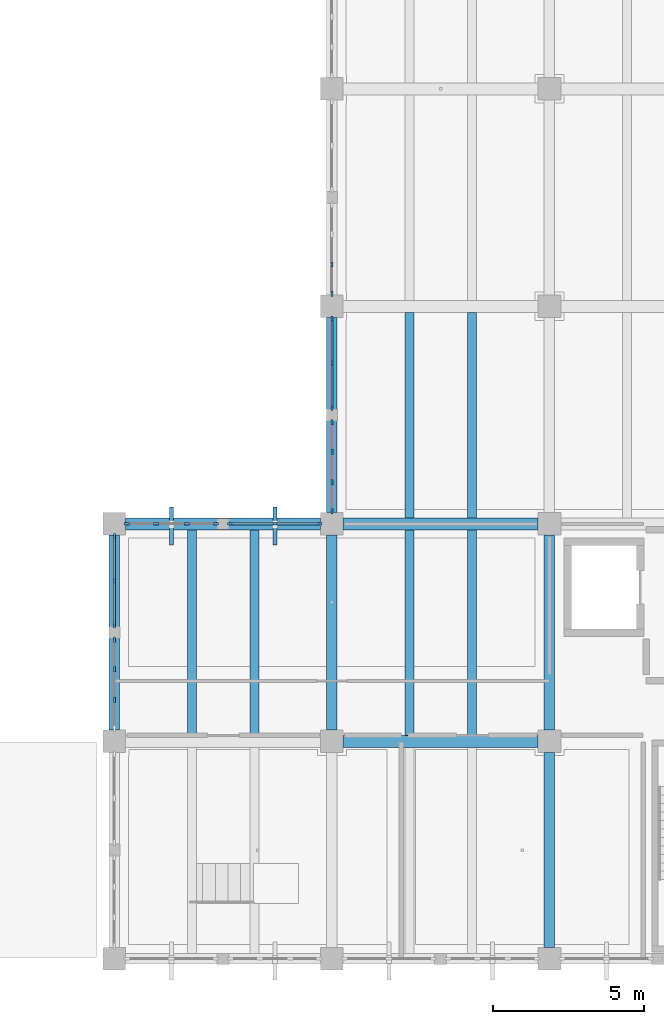
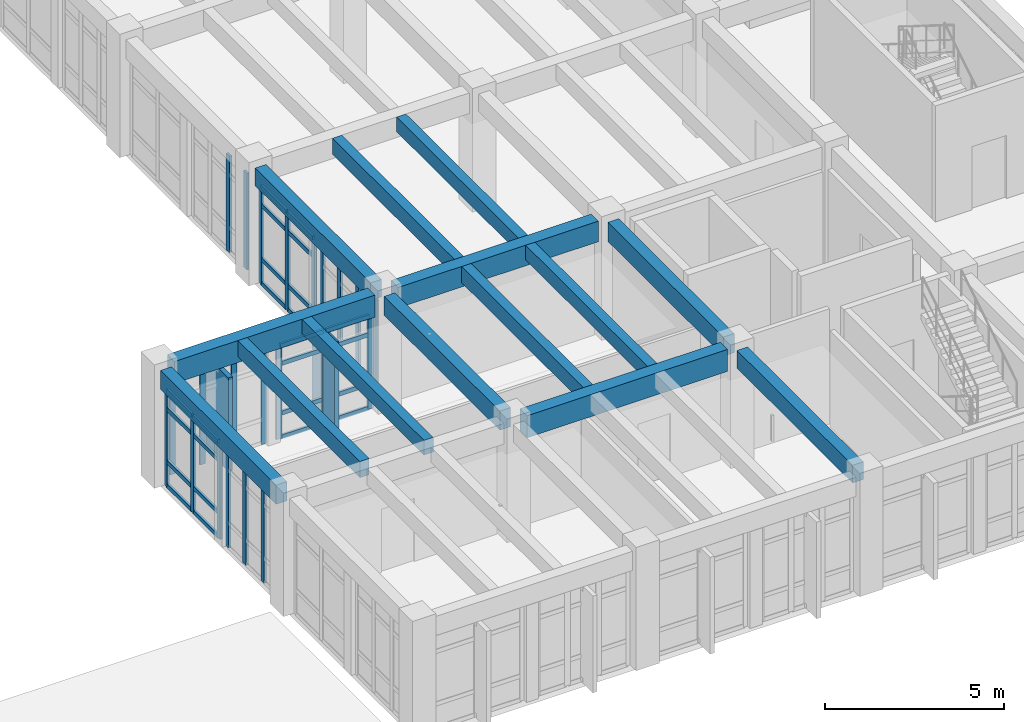
# One storey, part 54 of 136: 48 members, 14 beams, 7 elements without a shape of their own.
"""IFC4 building model written with IfcOpenShell, lengths in metres."""

from ifc_helpers import new_model, si_unit, direction, frame, origin, origin_2d, place, context, subcontext, project, spatial, rectangle, extrude, material, layer, layer_set, material_profile, profile_set, type_object, element, aggregate, save


model = new_model("IFC4")

# Units and contexts
model_context = context("Model", 3, precision=1e-05, world=origin(), true_north=direction((0.0, 1.0)))
body_context = subcontext(model_context, "Body", "Model", "MODEL_VIEW")
ifc_project = project(units=[si_unit("LENGTHUNIT", "METRE"), si_unit("AREAUNIT", "SQUARE_METRE"), si_unit("VOLUMEUNIT", "CUBIC_METRE"), si_unit("PLANEANGLEUNIT", "RADIAN"), si_unit("MASSUNIT", "GRAM", prefix="KILO")], contexts=[model_context])

# Site, building, storey
site_placement = place(None, origin())
site = spatial("IfcSite", under=ifc_project, at=site_placement, CompositionType="ELEMENT")
building_placement = place(site_placement, origin())
building = spatial("IfcBuilding", under=site, at=building_placement, Name="Koriwan Promenade Central Fire Station", CompositionType="ELEMENT")
storey_placement = place(building_placement, frame((0.0, 0.0, 5.39990234375)))
storey = spatial("IfcBuildingStorey", under=building, at=storey_placement, Name="L01", CompositionType="ELEMENT", Elevation=5.39990234375)

# Beams
ifc_material_1 = material(Name="Concrete C35/45", Category="concrete")
ifc_material_profile_1 = material_profile(ifc_material_1, rectangle(XDim=0.300048828125, YDim=0.5, at=origin_2d()), Name="RC-BM-300x500")
ifc_profile_set_1 = profile_set([ifc_material_profile_1], Name="Concrete C35/45")
beam_type_1 = type_object("IfcBeamType", Name="Beam_RC-BM-300x500", PredefinedType="JOIST", material=ifc_profile_set_1)
for number, where, z_axis, x_axis, name in (
    (1, (148.632080078125, 7.39990234375, 3.7001953125), (0.0, 1.0, 0.0), (-1.0, 0.0, 0.0), "V5 L01 secondary joist 707"),
    (2, (155.83203125, 7.39990234375, 3.7001953125), (0.0, 1.0, 0.0), (-1.0, 0.0, 0.0), "V5 L01 secondary joist 709"),
):
    element("IfcBeam", number, at=place(storey_placement, frame(where, z_axis=z_axis, x_axis=x_axis)), inside=storey, type_object=beam_type_1, Name=name, PredefinedType="JOIST", context=body_context, shape_type="SweptSolid", body=[
        extrude(rectangle(XDim=0.300048828125, YDim=0.5, at=origin_2d()), origin(), (0.0, 0.0, 1.0), 6.800048828125),
    ])
beam_1_placement = place(storey_placement, frame((155.83203125, 14.60009765625, 3.7001953125), z_axis=(0.0, 1.0, 0.0), x_axis=(-1.0, 0.0, 0.0)))
element("IfcBeam", 3, at=beam_1_placement, inside=storey, type_object=beam_type_1, Name="V5 L01 secondary joist 711", PredefinedType="JOIST", context=body_context, shape_type="SweptSolid", body=[
    extrude(rectangle(XDim=0.300048828125, YDim=0.5, at=origin_2d()), origin(), (0.0, 0.0, 1.0), 6.7998046875),
])
ifc_material_profile_2 = material_profile(ifc_material_1, rectangle(XDim=0.300048828125, YDim=0.550048828125, at=origin_2d()), Name="RC-BM-300x550")
ifc_profile_set_2 = profile_set([ifc_material_profile_2], Name="Concrete C35/45")
beam_type_2 = type_object("IfcBeamType", Name="Beam_RC-BM-300x550", PredefinedType="JOIST", material=ifc_profile_set_2)
for number, where, z_axis, x_axis, name in (
    (4, (146.568115234375, 7.39990234375, 3.675048828125), (0.0, 1.0, 0.0), (-1.0, 0.0, 0.0), "V5 L01 secondary joist 706"),
    (5, (153.76806640625, 7.39990234375, 3.675048828125), (0.0, 1.0, 0.0), (-1.0, 0.0, 0.0), "V5 L01 secondary joist 708"),
):
    element("IfcBeam", number, at=place(storey_placement, frame(where, z_axis=z_axis, x_axis=x_axis)), inside=storey, type_object=beam_type_2, Name=name, PredefinedType="JOIST", context=body_context, shape_type="SweptSolid", body=[
        extrude(rectangle(XDim=0.300048828125, YDim=0.550048828125, at=origin_2d()), origin(), (0.0, 0.0, 1.0), 6.800048828125),
    ])
beam_2_placement = place(storey_placement, frame((153.76806640625, 14.60009765625, 3.675048828125), z_axis=(0.0, 1.0, 0.0), x_axis=(-1.0, 0.0, 0.0)))
element("IfcBeam", 6, at=beam_2_placement, inside=storey, type_object=beam_type_2, Name="V5 L01 secondary joist 710", PredefinedType="JOIST", context=body_context, shape_type="SweptSolid", body=[
    extrude(rectangle(XDim=0.300048828125, YDim=0.550048828125, at=origin_2d()), origin(), (0.0, 0.0, 1.0), 6.7998046875),
])
ifc_material_profile_3 = material_profile(ifc_material_1, rectangle(XDim=0.35009765625, YDim=0.60009765625, at=origin_2d()), Name="RC-BM-350x600")
ifc_profile_set_3 = profile_set([ifc_material_profile_3], Name="Concrete C35/45")
beam_type_3 = type_object("IfcBeamType", Name="Beam_RC-BM-350x600", PredefinedType="BEAM", material=ifc_profile_set_3)
beam_3_placement = place(storey_placement, frame((151.199951171875, 14.77490234375, 3.650146484375), z_axis=(0.0, 1.0, 0.0), x_axis=(-1.0, 0.0, 0.0)))
element("IfcBeam", 7, at=beam_3_placement, inside=storey, type_object=beam_type_3, Name="V5 L01 girder Y-662", PredefinedType="BEAM", context=body_context, shape_type="SweptSolid", body=[
    extrude(rectangle(XDim=0.35009765625, YDim=0.60009765625, at=origin_2d()), origin(), (0.0, 0.0, 1.0), 6.4501953125),
])
beam_4_placement = place(storey_placement, frame((158.39990234375, 0.375, 3.650146484375), z_axis=(0.0, 1.0, 0.0), x_axis=(-1.0, 0.0, 0.0)))
element("IfcBeam", 8, at=beam_4_placement, inside=storey, type_object=beam_type_3, Name="V5 L01 girder Y-670", PredefinedType="BEAM", context=body_context, shape_type="SweptSolid", body=[
    extrude(rectangle(XDim=0.35009765625, YDim=0.60009765625, at=origin_2d()), origin(), (0.0, 0.0, 1.0), 6.449951171875),
])
ifc_material_profile_4 = material_profile(ifc_material_1, rectangle(XDim=0.35009765625, YDim=0.64990234375, at=origin_2d()), Name="RC-BM-350x650")
ifc_profile_set_4 = profile_set([ifc_material_profile_4], Name="Concrete C35/45")
beam_type_4 = type_object("IfcBeamType", Name="Beam_RC-BM-350x650", PredefinedType="BEAM", material=ifc_profile_set_4)
for number, where, z_axis, x_axis, name in (
    (9, (144.0, 7.574951171875, 3.625), (0.0, 1.0, 0.0), (-1.0, 0.0, 0.0), "V5 L01 girder Y-659"),
    (10, (151.199951171875, 7.574951171875, 3.625), (0.0, 1.0, 0.0), (-1.0, 0.0, 0.0), "V5 L01 girder Y-661"),
    (11, (158.39990234375, 7.574951171875, 3.625), (0.0, 1.0, 0.0), (-1.0, 0.0, 0.0), "V5 L01 girder Y-671"),
):
    element("IfcBeam", number, at=place(storey_placement, frame(where, z_axis=z_axis, x_axis=x_axis)), inside=storey, type_object=beam_type_4, Name=name, PredefinedType="BEAM", context=body_context, shape_type="SweptSolid", body=[
        extrude(rectangle(XDim=0.35009765625, YDim=0.64990234375, at=origin_2d()), origin(), (0.0, 0.0, 1.0), 6.449951171875),
    ])
ifc_material_profile_5 = material_profile(ifc_material_1, rectangle(XDim=0.39990234375, YDim=0.699951171875, at=origin_2d()), Name="RC-BM-400x700")
ifc_profile_set_5 = profile_set([ifc_material_profile_5], Name="Concrete C35/45")
beam_type_5 = type_object("IfcBeamType", Name="Beam_RC-BM-400x700", PredefinedType="BEAM", material=ifc_profile_set_5)
beam_5_placement = place(storey_placement, frame((151.574951171875, 14.39990234375, 3.60009765625), z_axis=(1.0, 0.0, 0.0), x_axis=(0.0, 1.0, 0.0)))
element("IfcBeam", 12, at=beam_5_placement, inside=storey, type_object=beam_type_5, Name="V5 L01 girder X-632", PredefinedType="BEAM", context=body_context, shape_type="SweptSolid", body=[
    extrude(rectangle(XDim=0.39990234375, YDim=0.699951171875, at=origin_2d()), origin(), (0.0, 0.0, 1.0), 6.449951171875),
])
ifc_material_profile_6 = material_profile(ifc_material_1, rectangle(XDim=0.39990234375, YDim=0.75, at=origin_2d()), Name="RC-BM-400x750")
ifc_profile_set_6 = profile_set([ifc_material_profile_6], Name="Concrete C35/45")
beam_type_6 = type_object("IfcBeamType", Name="Beam_RC-BM-400x750", PredefinedType="BEAM", material=ifc_profile_set_6)
for number, where, z_axis, x_axis, name in (
    (13, (151.574951171875, 7.199951171875, 3.5751953125), (1.0, 0.0, 0.0), (0.0, 1.0, 0.0), "V5 L01 girder X-629"),
    (14, (144.375, 14.39990234375, 3.5751953125), (1.0, 0.0, 0.0), (0.0, 1.0, 0.0), "V5 L01 girder X-631"),
):
    element("IfcBeam", number, at=place(storey_placement, frame(where, z_axis=z_axis, x_axis=x_axis)), inside=storey, type_object=beam_type_6, Name=name, PredefinedType="BEAM", context=body_context, shape_type="SweptSolid", body=[
        extrude(rectangle(XDim=0.39990234375, YDim=0.75, at=origin_2d()), origin(), (0.0, 0.0, 1.0), 6.449951171875),
    ])

# Curtain wall, members
ifc_material_2 = material(Name="Aluminium EN AW-6063-T6 and low-E glazing", Category="aluminium")
ifc_layer_1 = layer(ifc_material_2, 0.159912109375, Name="Aluminium EN AW-6063-T6 and low-E glazing")
ifc_layer_set_1 = layer_set([ifc_layer_1], Name="Aluminium EN AW-6063-T6 and low-E glazing")
curtain_wall_type_1 = type_object("IfcCurtainWallType", Name="CurtainWall_62_302x329", PredefinedType="USERDEFINED", material=ifc_layer_set_1)
curtain_wall_1_placement = place(storey_placement, origin())
curtain_wall_1 = element("IfcCurtainWall", 15, at=curtain_wall_1_placement, inside=storey, type_object=curtain_wall_type_1, Name="V5 L01 unitised curtain wall 171", ObjectType="UNITISED CURTAIN WALL", PredefinedType="USERDEFINED")
ifc_material_3 = material(Name="Aluminium EN AW-6063-T6", Category="aluminium")
ifc_material_profile_7 = material_profile(ifc_material_3, rectangle(XDim=0.074951171875, YDim=0.179931640625, at=origin_2d()), Name="ALU-MUL-75x180")
ifc_profile_set_7 = profile_set([ifc_material_profile_7], Name="Aluminium EN AW-6063-T6")
member_type_1 = type_object("IfcMemberType", Name="CWMullion_ALU-MUL-75x180", PredefinedType="MULLION", material=ifc_profile_set_7)
member_1_placement = place(storey_placement, frame((144.0, 8.583251953125, 0.0), z_axis=(0.0, 0.0, 1.0), x_axis=(-1.0, 0.0, 0.0)))
member_1 = element("IfcMember", 16, at=member_1_placement, type_object=member_type_1, Name="CW-62 mullion 2", PredefinedType="MULLION", context=body_context, shape_type="SweptSolid", body=[
    extrude(rectangle(XDim=0.074951171875, YDim=0.179931640625, at=origin_2d()), origin(), (0.0, 0.0, 1.0), 3.2900390625),
])
member_2_placement = place(storey_placement, frame((144.0, 9.591552734375, 0.0), z_axis=(0.0, 0.0, 1.0), x_axis=(-1.0, 0.0, 0.0)))
member_2 = element("IfcMember", 17, at=member_2_placement, type_object=member_type_1, Name="CW-62 mullion 3", PredefinedType="MULLION", context=body_context, shape_type="SweptSolid", body=[
    extrude(rectangle(XDim=0.074951171875, YDim=0.179931640625, at=origin_2d()), origin(), (0.0, 0.0, 1.0), 3.2900390625),
])
member_3_placement = place(storey_placement, frame((144.0, 10.5625, 0.0), z_axis=(0.0, 0.0, 1.0), x_axis=(-1.0, 0.0, 0.0)))
member_3 = element("IfcMember", 18, at=member_3_placement, type_object=member_type_1, Name="CW-62 mullion 4", PredefinedType="MULLION", context=body_context, shape_type="SweptSolid", body=[
    extrude(rectangle(XDim=0.074951171875, YDim=0.179931640625, at=origin_2d()), origin(), (0.0, 0.0, 1.0), 3.2900390625),
])
aggregate(curtain_wall_1, [member_1, member_2, member_3])

ifc_layer_2 = layer(ifc_material_2, 0.159912109375, Name="Aluminium EN AW-6063-T6 and low-E glazing")
ifc_layer_set_2 = layer_set([ifc_layer_2], Name="Aluminium EN AW-6063-T6 and low-E glazing")
curtain_wall_type_2 = type_object("IfcCurtainWallType", Name="CurtainWall_08_303x329", PredefinedType="USERDEFINED", material=ifc_layer_set_2)
curtain_wall_2_placement = place(storey_placement, origin())
curtain_wall_2 = element("IfcCurtainWall", 19, at=curtain_wall_2_placement, inside=storey, type_object=curtain_wall_type_2, Name="V5 L01 unitised curtain wall 172", ObjectType="UNITISED CURTAIN WALL", PredefinedType="USERDEFINED")
member_4_placement = place(storey_placement, frame((144.0, 11.03759765625, 0.0), z_axis=(0.0, 0.0, 1.0), x_axis=(-1.0, 0.0, 0.0)))
member_4 = element("IfcMember", 20, at=member_4_placement, type_object=member_type_1, Name="CW-08 mullion 1", PredefinedType="MULLION", context=body_context, shape_type="SweptSolid", body=[
    extrude(rectangle(XDim=0.074951171875, YDim=0.179931640625, at=origin_2d()), origin(), (0.0, 0.0, 1.0), 3.2900390625),
])
member_5_placement = place(storey_placement, frame((144.0, 12.512451171875, 0.0), z_axis=(0.0, 0.0, 1.0), x_axis=(-1.0, 0.0, 0.0)))
member_5 = element("IfcMember", 21, at=member_5_placement, type_object=member_type_1, Name="CW-08 mullion 2", PredefinedType="MULLION", context=body_context, shape_type="SweptSolid", body=[
    extrude(rectangle(XDim=0.074951171875, YDim=0.179931640625, at=origin_2d()), origin(), (0.0, 0.0, 1.0), 3.2900390625),
])
member_6_placement = place(storey_placement, frame((144.0, 13.987548828125, 0.0), z_axis=(0.0, 0.0, 1.0), x_axis=(-1.0, 0.0, 0.0)))
member_6 = element("IfcMember", 22, at=member_6_placement, type_object=member_type_1, Name="CW-08 mullion 3", PredefinedType="MULLION", context=body_context, shape_type="SweptSolid", body=[
    extrude(rectangle(XDim=0.074951171875, YDim=0.179931640625, at=origin_2d()), origin(), (0.0, 0.0, 1.0), 3.2900390625),
])

ifc_layer_3 = layer(ifc_material_2, 0.159912109375, Name="Aluminium EN AW-6063-T6 and low-E glazing")
ifc_layer_set_3 = layer_set([ifc_layer_3], Name="Aluminium EN AW-6063-T6 and low-E glazing")
curtain_wall_type_3 = type_object("IfcCurtainWallType", Name="CurtainWall_65_303x319", PredefinedType="USERDEFINED", material=ifc_layer_set_3)
curtain_wall_3_placement = place(storey_placement, origin())
curtain_wall_3 = element("IfcCurtainWall", 23, at=curtain_wall_3_placement, inside=storey, type_object=curtain_wall_type_3, Name="V5 L01 unitised curtain wall 173", ObjectType="UNITISED CURTAIN WALL", PredefinedType="USERDEFINED")
member_7_placement = place(storey_placement, frame((144.41259765625, 14.39990234375, 0.0), z_axis=(0.0, 0.0, 1.0), x_axis=(0.0, 1.0, 0.0)))
member_7 = element("IfcMember", 24, at=member_7_placement, type_object=member_type_1, Name="CW-65 mullion 1", PredefinedType="MULLION", context=body_context, shape_type="SweptSolid", body=[
    extrude(rectangle(XDim=0.074951171875, YDim=0.179931640625, at=origin_2d()), origin(), (0.0, 0.0, 1.0), 3.190185546875),
])
member_8_placement = place(storey_placement, frame((145.38330078125, 14.39990234375, 0.0), z_axis=(0.0, 0.0, 1.0), x_axis=(0.0, 1.0, 0.0)))
member_8 = element("IfcMember", 25, at=member_8_placement, type_object=member_type_1, Name="CW-65 mullion 2", PredefinedType="MULLION", context=body_context, shape_type="SweptSolid", body=[
    extrude(rectangle(XDim=0.074951171875, YDim=0.179931640625, at=origin_2d()), origin(), (0.0, 0.0, 1.0), 3.190185546875),
])
member_9_placement = place(storey_placement, frame((146.3916015625, 14.39990234375, 0.0), z_axis=(0.0, 0.0, 1.0), x_axis=(0.0, 1.0, 0.0)))
member_9 = element("IfcMember", 26, at=member_9_placement, type_object=member_type_1, Name="CW-65 mullion 3", PredefinedType="MULLION", context=body_context, shape_type="SweptSolid", body=[
    extrude(rectangle(XDim=0.074951171875, YDim=0.179931640625, at=origin_2d()), origin(), (0.0, 0.0, 1.0), 3.190185546875),
])
member_10_placement = place(storey_placement, frame((147.362548828125, 14.39990234375, 0.0), z_axis=(0.0, 0.0, 1.0), x_axis=(0.0, 1.0, 0.0)))
member_10 = element("IfcMember", 27, at=member_10_placement, type_object=member_type_1, Name="CW-65 mullion 4", PredefinedType="MULLION", context=body_context, shape_type="SweptSolid", body=[
    extrude(rectangle(XDim=0.074951171875, YDim=0.179931640625, at=origin_2d()), origin(), (0.0, 0.0, 1.0), 3.190185546875),
])
aggregate(curtain_wall_3, [member_7, member_8, member_9, member_10])

ifc_layer_4 = layer(ifc_material_2, 0.159912109375, Name="Aluminium EN AW-6063-T6 and low-E glazing")
ifc_layer_set_4 = layer_set([ifc_layer_4], Name="Aluminium EN AW-6063-T6 and low-E glazing")
curtain_wall_type_4 = type_object("IfcCurtainWallType", Name="CurtainWall_66_302x319", PredefinedType="USERDEFINED", material=ifc_layer_set_4)
curtain_wall_4_placement = place(storey_placement, origin())
curtain_wall_4 = element("IfcCurtainWall", 28, at=curtain_wall_4_placement, inside=storey, type_object=curtain_wall_type_4, Name="V5 L01 unitised curtain wall 174", ObjectType="UNITISED CURTAIN WALL", PredefinedType="USERDEFINED")
member_11_placement = place(storey_placement, frame((147.83740234375, 14.39990234375, 0.0), z_axis=(0.0, 0.0, 1.0), x_axis=(0.0, 1.0, 0.0)))
member_11 = element("IfcMember", 29, at=member_11_placement, type_object=member_type_1, Name="CW-66 mullion 1", PredefinedType="MULLION", context=body_context, shape_type="SweptSolid", body=[
    extrude(rectangle(XDim=0.074951171875, YDim=0.179931640625, at=origin_2d()), origin(), (0.0, 0.0, 1.0), 3.190185546875),
])
member_12_placement = place(storey_placement, frame((149.3125, 14.39990234375, 0.0), z_axis=(0.0, 0.0, 1.0), x_axis=(0.0, 1.0, 0.0)))
member_12 = element("IfcMember", 30, at=member_12_placement, type_object=member_type_1, Name="CW-66 mullion 2", PredefinedType="MULLION", context=body_context, shape_type="SweptSolid", body=[
    extrude(rectangle(XDim=0.074951171875, YDim=0.179931640625, at=origin_2d()), origin(), (0.0, 0.0, 1.0), 3.190185546875),
])
member_13_placement = place(storey_placement, frame((150.78759765625, 14.39990234375, 0.0), z_axis=(0.0, 0.0, 1.0), x_axis=(0.0, 1.0, 0.0)))
member_13 = element("IfcMember", 31, at=member_13_placement, type_object=member_type_1, Name="CW-66 mullion 3", PredefinedType="MULLION", context=body_context, shape_type="SweptSolid", body=[
    extrude(rectangle(XDim=0.074951171875, YDim=0.179931640625, at=origin_2d()), origin(), (0.0, 0.0, 1.0), 3.190185546875),
])

ifc_layer_5 = layer(ifc_material_2, 0.159912109375, Name="Aluminium EN AW-6063-T6 and low-E glazing")
ifc_layer_set_5 = layer_set([ifc_layer_5], Name="Aluminium EN AW-6063-T6 and low-E glazing")
curtain_wall_type_5 = type_object("IfcCurtainWallType", Name="CurtainWall_67_303x334", PredefinedType="USERDEFINED", material=ifc_layer_set_5)
curtain_wall_5_placement = place(storey_placement, origin())
curtain_wall_5 = element("IfcCurtainWall", 32, at=curtain_wall_5_placement, inside=storey, type_object=curtain_wall_type_5, Name="V5 L01 unitised curtain wall 175", ObjectType="UNITISED CURTAIN WALL", PredefinedType="USERDEFINED")
member_14_placement = place(storey_placement, frame((151.199951171875, 14.8125, 0.0), z_axis=(0.0, 0.0, 1.0), x_axis=(-1.0, 0.0, 0.0)))
member_14 = element("IfcMember", 33, at=member_14_placement, type_object=member_type_1, Name="CW-67 mullion 1", PredefinedType="MULLION", context=body_context, shape_type="SweptSolid", body=[
    extrude(rectangle(XDim=0.074951171875, YDim=0.179931640625, at=origin_2d()), origin(), (0.0, 0.0, 1.0), 3.340087890625),
])
member_15_placement = place(storey_placement, frame((151.199951171875, 15.783447265625, 0.0), z_axis=(0.0, 0.0, 1.0), x_axis=(-1.0, 0.0, 0.0)))
member_15 = element("IfcMember", 34, at=member_15_placement, type_object=member_type_1, Name="CW-67 mullion 2", PredefinedType="MULLION", context=body_context, shape_type="SweptSolid", body=[
    extrude(rectangle(XDim=0.074951171875, YDim=0.179931640625, at=origin_2d()), origin(), (0.0, 0.0, 1.0), 3.340087890625),
])
member_16_placement = place(storey_placement, frame((151.199951171875, 16.791748046875, 0.0), z_axis=(0.0, 0.0, 1.0), x_axis=(-1.0, 0.0, 0.0)))
member_16 = element("IfcMember", 35, at=member_16_placement, type_object=member_type_1, Name="CW-67 mullion 3", PredefinedType="MULLION", context=body_context, shape_type="SweptSolid", body=[
    extrude(rectangle(XDim=0.074951171875, YDim=0.179931640625, at=origin_2d()), origin(), (0.0, 0.0, 1.0), 3.340087890625),
])
member_17_placement = place(storey_placement, frame((151.199951171875, 17.762451171875, 0.0), z_axis=(0.0, 0.0, 1.0), x_axis=(-1.0, 0.0, 0.0)))
member_17 = element("IfcMember", 36, at=member_17_placement, type_object=member_type_1, Name="CW-67 mullion 4", PredefinedType="MULLION", context=body_context, shape_type="SweptSolid", body=[
    extrude(rectangle(XDim=0.074951171875, YDim=0.179931640625, at=origin_2d()), origin(), (0.0, 0.0, 1.0), 3.340087890625),
])
aggregate(curtain_wall_5, [member_14, member_15, member_16, member_17])

ifc_layer_6 = layer(ifc_material_2, 0.159912109375, Name="Aluminium EN AW-6063-T6 and low-E glazing")
ifc_layer_set_6 = layer_set([ifc_layer_6], Name="Aluminium EN AW-6063-T6 and low-E glazing")
curtain_wall_type_6 = type_object("IfcCurtainWallType", Name="CurtainWall_64_303x334", PredefinedType="USERDEFINED", material=ifc_layer_set_6)
curtain_wall_6_placement = place(storey_placement, origin())
curtain_wall_6 = element("IfcCurtainWall", 37, at=curtain_wall_6_placement, inside=storey, type_object=curtain_wall_type_6, Name="V5 L01 unitised curtain wall 176", ObjectType="UNITISED CURTAIN WALL", PredefinedType="USERDEFINED")
member_18_placement = place(storey_placement, frame((151.199951171875, 18.237548828125, 0.0), z_axis=(0.0, 0.0, 1.0), x_axis=(-1.0, 0.0, 0.0)))
member_18 = element("IfcMember", 38, at=member_18_placement, type_object=member_type_1, Name="CW-64 mullion 1", PredefinedType="MULLION", context=body_context, shape_type="SweptSolid", body=[
    extrude(rectangle(XDim=0.074951171875, YDim=0.179931640625, at=origin_2d()), origin(), (0.0, 0.0, 1.0), 3.340087890625),
])
member_19_placement = place(storey_placement, frame((151.199951171875, 19.71240234375, 0.0), z_axis=(0.0, 0.0, 1.0), x_axis=(-1.0, 0.0, 0.0)))
member_19 = element("IfcMember", 39, at=member_19_placement, type_object=member_type_1, Name="CW-64 mullion 2", PredefinedType="MULLION", context=body_context, shape_type="SweptSolid", body=[
    extrude(rectangle(XDim=0.074951171875, YDim=0.179931640625, at=origin_2d()), origin(), (0.0, 0.0, 1.0), 3.340087890625),
])
member_20_placement = place(storey_placement, frame((151.199951171875, 21.1875, 0.0), z_axis=(0.0, 0.0, 1.0), x_axis=(-1.0, 0.0, 0.0)))
member_20 = element("IfcMember", 40, at=member_20_placement, type_object=member_type_1, Name="CW-64 mullion 3", PredefinedType="MULLION", context=body_context, shape_type="SweptSolid", body=[
    extrude(rectangle(XDim=0.074951171875, YDim=0.179931640625, at=origin_2d()), origin(), (0.0, 0.0, 1.0), 3.340087890625),
])

curtain_wall_7_placement = place(storey_placement, origin())
curtain_wall_7 = element("IfcCurtainWall", 41, at=curtain_wall_7_placement, inside=storey, type_object=curtain_wall_type_1, Name="V5 L01 unitised curtain wall 177", ObjectType="UNITISED CURTAIN WALL", PredefinedType="USERDEFINED")
member_21_placement = place(storey_placement, frame((151.199951171875, 22.012451171875, 0.0), z_axis=(0.0, 0.0, 1.0), x_axis=(-1.0, 0.0, 0.0)))
member_21 = element("IfcMember", 42, at=member_21_placement, type_object=member_type_1, Name="CW-62 mullion 1", PredefinedType="MULLION", context=body_context, shape_type="SweptSolid", body=[
    extrude(rectangle(XDim=0.074951171875, YDim=0.179931640625, at=origin_2d()), origin(), (0.0, 0.0, 1.0), 3.2900390625),
])
member_22_placement = place(storey_placement, frame((151.199951171875, 22.9833984375, 0.0), z_axis=(0.0, 0.0, 1.0), x_axis=(-1.0, 0.0, 0.0)))
member_22 = element("IfcMember", 43, at=member_22_placement, type_object=member_type_1, Name="CW-62 mullion 2", PredefinedType="MULLION", context=body_context, shape_type="SweptSolid", body=[
    extrude(rectangle(XDim=0.074951171875, YDim=0.179931640625, at=origin_2d()), origin(), (0.0, 0.0, 1.0), 3.2900390625),
])
aggregate(curtain_wall_7, [member_21, member_22])

# Member
ifc_material_profile_8 = material_profile(ifc_material_3, rectangle(XDim=0.074951171875, YDim=0.139892578125, at=origin_2d()), Name="ALU-TRN-75x140")
ifc_profile_set_8 = profile_set([ifc_material_profile_8], Name="Aluminium EN AW-6063-T6")
member_type_2 = type_object("IfcMemberType", Name="CWTransom_ALU-TRN-75x140", PredefinedType="USERDEFINED", material=ifc_profile_set_8)
member_23_placement = place(storey_placement, frame((144.0, 11.074951171875, 0.03759765625), z_axis=(0.0, 1.0, 0.0), x_axis=(-1.0, 0.0, 0.0)))
member_23 = element("IfcMember", 44, at=member_23_placement, type_object=member_type_2, Name="CW-08 transom 1.1", ObjectType="TRANSOM", PredefinedType="USERDEFINED", context=body_context, shape_type="SweptSolid", body=[
    extrude(rectangle(XDim=0.074951171875, YDim=0.139892578125, at=origin_2d()), origin(), (0.0, 0.0, 1.0), 1.400146484375),
])

member_24_placement = place(storey_placement, frame((144.0, 11.074951171875, 0.85009765625), z_axis=(0.0, 1.0, 0.0), x_axis=(-1.0, 0.0, 0.0)))
member_24 = element("IfcMember", 45, at=member_24_placement, type_object=member_type_2, Name="CW-08 transom 1.2", ObjectType="TRANSOM", PredefinedType="USERDEFINED", context=body_context, shape_type="SweptSolid", body=[
    extrude(rectangle(XDim=0.074951171875, YDim=0.139892578125, at=origin_2d()), origin(), (0.0, 0.0, 1.0), 1.400146484375),
])

member_25_placement = place(storey_placement, frame((144.0, 11.074951171875, 2.64013671875), z_axis=(0.0, 1.0, 0.0), x_axis=(-1.0, 0.0, 0.0)))
member_25 = element("IfcMember", 46, at=member_25_placement, type_object=member_type_2, Name="CW-08 transom 1.3", ObjectType="TRANSOM", PredefinedType="USERDEFINED", context=body_context, shape_type="SweptSolid", body=[
    extrude(rectangle(XDim=0.074951171875, YDim=0.139892578125, at=origin_2d()), origin(), (0.0, 0.0, 1.0), 1.400146484375),
])

member_26_placement = place(storey_placement, frame((144.0, 11.074951171875, 3.252685546875), z_axis=(0.0, 1.0, 0.0), x_axis=(-1.0, 0.0, 0.0)))
member_26 = element("IfcMember", 47, at=member_26_placement, type_object=member_type_2, Name="CW-08 transom 1.4", ObjectType="TRANSOM", PredefinedType="USERDEFINED", context=body_context, shape_type="SweptSolid", body=[
    extrude(rectangle(XDim=0.074951171875, YDim=0.139892578125, at=origin_2d()), origin(), (0.0, 0.0, 1.0), 1.400146484375),
])

member_27_placement = place(storey_placement, frame((144.0, 12.550048828125, 0.03759765625), z_axis=(0.0, 1.0, 0.0), x_axis=(-1.0, 0.0, 0.0)))
member_27 = element("IfcMember", 48, at=member_27_placement, type_object=member_type_2, Name="CW-08 transom 2.1", ObjectType="TRANSOM", PredefinedType="USERDEFINED", context=body_context, shape_type="SweptSolid", body=[
    extrude(rectangle(XDim=0.074951171875, YDim=0.139892578125, at=origin_2d()), origin(), (0.0, 0.0, 1.0), 1.39990234375),
])

member_28_placement = place(storey_placement, frame((144.0, 12.550048828125, 0.85009765625), z_axis=(0.0, 1.0, 0.0), x_axis=(-1.0, 0.0, 0.0)))
member_28 = element("IfcMember", 49, at=member_28_placement, type_object=member_type_2, Name="CW-08 transom 2.2", ObjectType="TRANSOM", PredefinedType="USERDEFINED", context=body_context, shape_type="SweptSolid", body=[
    extrude(rectangle(XDim=0.074951171875, YDim=0.139892578125, at=origin_2d()), origin(), (0.0, 0.0, 1.0), 1.39990234375),
])

member_29_placement = place(storey_placement, frame((144.0, 12.550048828125, 2.64013671875), z_axis=(0.0, 1.0, 0.0), x_axis=(-1.0, 0.0, 0.0)))
member_29 = element("IfcMember", 50, at=member_29_placement, type_object=member_type_2, Name="CW-08 transom 2.3", ObjectType="TRANSOM", PredefinedType="USERDEFINED", context=body_context, shape_type="SweptSolid", body=[
    extrude(rectangle(XDim=0.074951171875, YDim=0.139892578125, at=origin_2d()), origin(), (0.0, 0.0, 1.0), 1.39990234375),
])

member_30_placement = place(storey_placement, frame((144.0, 12.550048828125, 3.252685546875), z_axis=(0.0, 1.0, 0.0), x_axis=(-1.0, 0.0, 0.0)))
member_30 = element("IfcMember", 51, at=member_30_placement, type_object=member_type_2, Name="CW-08 transom 2.4", ObjectType="TRANSOM", PredefinedType="USERDEFINED", context=body_context, shape_type="SweptSolid", body=[
    extrude(rectangle(XDim=0.074951171875, YDim=0.139892578125, at=origin_2d()), origin(), (0.0, 0.0, 1.0), 1.39990234375),
])

aggregate(curtain_wall_2, [member_4, member_5, member_6, member_23, member_24, member_25, member_26, member_27, member_28, member_29, member_30])

member_31_placement = place(storey_placement, frame((147.875, 14.39990234375, 0.03759765625), z_axis=(1.0, 0.0, 0.0), x_axis=(0.0, 1.0, 0.0)))
member_31 = element("IfcMember", 52, at=member_31_placement, type_object=member_type_2, Name="CW-66 transom 1.1", ObjectType="TRANSOM", PredefinedType="USERDEFINED", context=body_context, shape_type="SweptSolid", body=[
    extrude(rectangle(XDim=0.074951171875, YDim=0.139892578125, at=origin_2d()), origin(), (0.0, 0.0, 1.0), 1.39990234375),
])

member_32_placement = place(storey_placement, frame((147.875, 14.39990234375, 0.85009765625), z_axis=(1.0, 0.0, 0.0), x_axis=(0.0, 1.0, 0.0)))
member_32 = element("IfcMember", 53, at=member_32_placement, type_object=member_type_2, Name="CW-66 transom 1.2", ObjectType="TRANSOM", PredefinedType="USERDEFINED", context=body_context, shape_type="SweptSolid", body=[
    extrude(rectangle(XDim=0.074951171875, YDim=0.139892578125, at=origin_2d()), origin(), (0.0, 0.0, 1.0), 1.39990234375),
])

member_33_placement = place(storey_placement, frame((147.875, 14.39990234375, 2.5400390625), z_axis=(1.0, 0.0, 0.0), x_axis=(0.0, 1.0, 0.0)))
member_33 = element("IfcMember", 54, at=member_33_placement, type_object=member_type_2, Name="CW-66 transom 1.3", ObjectType="TRANSOM", PredefinedType="USERDEFINED", context=body_context, shape_type="SweptSolid", body=[
    extrude(rectangle(XDim=0.074951171875, YDim=0.139892578125, at=origin_2d()), origin(), (0.0, 0.0, 1.0), 1.39990234375),
])

member_34_placement = place(storey_placement, frame((147.875, 14.39990234375, 3.152587890625), z_axis=(1.0, 0.0, 0.0), x_axis=(0.0, 1.0, 0.0)))
member_34 = element("IfcMember", 55, at=member_34_placement, type_object=member_type_2, Name="CW-66 transom 1.4", ObjectType="TRANSOM", PredefinedType="USERDEFINED", context=body_context, shape_type="SweptSolid", body=[
    extrude(rectangle(XDim=0.074951171875, YDim=0.139892578125, at=origin_2d()), origin(), (0.0, 0.0, 1.0), 1.39990234375),
])

member_35_placement = place(storey_placement, frame((149.35009765625, 14.39990234375, 0.03759765625), z_axis=(1.0, 0.0, 0.0), x_axis=(0.0, 1.0, 0.0)))
member_35 = element("IfcMember", 56, at=member_35_placement, type_object=member_type_2, Name="CW-66 transom 2.1", ObjectType="TRANSOM", PredefinedType="USERDEFINED", context=body_context, shape_type="SweptSolid", body=[
    extrude(rectangle(XDim=0.074951171875, YDim=0.139892578125, at=origin_2d()), origin(), (0.0, 0.0, 1.0), 1.39990234375),
])

member_36_placement = place(storey_placement, frame((149.35009765625, 14.39990234375, 0.85009765625), z_axis=(1.0, 0.0, 0.0), x_axis=(0.0, 1.0, 0.0)))
member_36 = element("IfcMember", 57, at=member_36_placement, type_object=member_type_2, Name="CW-66 transom 2.2", ObjectType="TRANSOM", PredefinedType="USERDEFINED", context=body_context, shape_type="SweptSolid", body=[
    extrude(rectangle(XDim=0.074951171875, YDim=0.139892578125, at=origin_2d()), origin(), (0.0, 0.0, 1.0), 1.39990234375),
])

member_37_placement = place(storey_placement, frame((149.35009765625, 14.39990234375, 2.5400390625), z_axis=(1.0, 0.0, 0.0), x_axis=(0.0, 1.0, 0.0)))
member_37 = element("IfcMember", 58, at=member_37_placement, type_object=member_type_2, Name="CW-66 transom 2.3", ObjectType="TRANSOM", PredefinedType="USERDEFINED", context=body_context, shape_type="SweptSolid", body=[
    extrude(rectangle(XDim=0.074951171875, YDim=0.139892578125, at=origin_2d()), origin(), (0.0, 0.0, 1.0), 1.39990234375),
])

member_38_placement = place(storey_placement, frame((149.35009765625, 14.39990234375, 3.152587890625), z_axis=(1.0, 0.0, 0.0), x_axis=(0.0, 1.0, 0.0)))
member_38 = element("IfcMember", 59, at=member_38_placement, type_object=member_type_2, Name="CW-66 transom 2.4", ObjectType="TRANSOM", PredefinedType="USERDEFINED", context=body_context, shape_type="SweptSolid", body=[
    extrude(rectangle(XDim=0.074951171875, YDim=0.139892578125, at=origin_2d()), origin(), (0.0, 0.0, 1.0), 1.39990234375),
])

aggregate(curtain_wall_4, [member_11, member_12, member_13, member_31, member_32, member_33, member_34, member_35, member_36, member_37, member_38])

member_39_placement = place(storey_placement, frame((151.199951171875, 18.27490234375, 0.03759765625), z_axis=(0.0, 1.0, 0.0), x_axis=(-1.0, 0.0, 0.0)))
member_39 = element("IfcMember", 60, at=member_39_placement, type_object=member_type_2, Name="CW-64 transom 1.1", ObjectType="TRANSOM", PredefinedType="USERDEFINED", context=body_context, shape_type="SweptSolid", body=[
    extrude(rectangle(XDim=0.074951171875, YDim=0.139892578125, at=origin_2d()), origin(), (0.0, 0.0, 1.0), 1.400146484375),
])

member_40_placement = place(storey_placement, frame((151.199951171875, 18.27490234375, 0.85009765625), z_axis=(0.0, 1.0, 0.0), x_axis=(-1.0, 0.0, 0.0)))
member_40 = element("IfcMember", 61, at=member_40_placement, type_object=member_type_2, Name="CW-64 transom 1.2", ObjectType="TRANSOM", PredefinedType="USERDEFINED", context=body_context, shape_type="SweptSolid", body=[
    extrude(rectangle(XDim=0.074951171875, YDim=0.139892578125, at=origin_2d()), origin(), (0.0, 0.0, 1.0), 1.400146484375),
])

member_41_placement = place(storey_placement, frame((151.199951171875, 18.27490234375, 2.690185546875), z_axis=(0.0, 1.0, 0.0), x_axis=(-1.0, 0.0, 0.0)))
member_41 = element("IfcMember", 62, at=member_41_placement, type_object=member_type_2, Name="CW-64 transom 1.3", ObjectType="TRANSOM", PredefinedType="USERDEFINED", context=body_context, shape_type="SweptSolid", body=[
    extrude(rectangle(XDim=0.074951171875, YDim=0.139892578125, at=origin_2d()), origin(), (0.0, 0.0, 1.0), 1.400146484375),
])

member_42_placement = place(storey_placement, frame((151.199951171875, 18.27490234375, 3.302490234375), z_axis=(0.0, 1.0, 0.0), x_axis=(-1.0, 0.0, 0.0)))
member_42 = element("IfcMember", 63, at=member_42_placement, type_object=member_type_2, Name="CW-64 transom 1.4", ObjectType="TRANSOM", PredefinedType="USERDEFINED", context=body_context, shape_type="SweptSolid", body=[
    extrude(rectangle(XDim=0.074951171875, YDim=0.139892578125, at=origin_2d()), origin(), (0.0, 0.0, 1.0), 1.400146484375),
])

member_43_placement = place(storey_placement, frame((151.199951171875, 19.75, 0.03759765625), z_axis=(0.0, 1.0, 0.0), x_axis=(-1.0, 0.0, 0.0)))
member_43 = element("IfcMember", 64, at=member_43_placement, type_object=member_type_2, Name="CW-64 transom 2.1", ObjectType="TRANSOM", PredefinedType="USERDEFINED", context=body_context, shape_type="SweptSolid", body=[
    extrude(rectangle(XDim=0.074951171875, YDim=0.139892578125, at=origin_2d()), origin(), (0.0, 0.0, 1.0), 1.39990234375),
])

member_44_placement = place(storey_placement, frame((151.199951171875, 19.75, 0.85009765625), z_axis=(0.0, 1.0, 0.0), x_axis=(-1.0, 0.0, 0.0)))
member_44 = element("IfcMember", 65, at=member_44_placement, type_object=member_type_2, Name="CW-64 transom 2.2", ObjectType="TRANSOM", PredefinedType="USERDEFINED", context=body_context, shape_type="SweptSolid", body=[
    extrude(rectangle(XDim=0.074951171875, YDim=0.139892578125, at=origin_2d()), origin(), (0.0, 0.0, 1.0), 1.39990234375),
])

member_45_placement = place(storey_placement, frame((151.199951171875, 19.75, 2.690185546875), z_axis=(0.0, 1.0, 0.0), x_axis=(-1.0, 0.0, 0.0)))
member_45 = element("IfcMember", 66, at=member_45_placement, type_object=member_type_2, Name="CW-64 transom 2.3", ObjectType="TRANSOM", PredefinedType="USERDEFINED", context=body_context, shape_type="SweptSolid", body=[
    extrude(rectangle(XDim=0.074951171875, YDim=0.139892578125, at=origin_2d()), origin(), (0.0, 0.0, 1.0), 1.39990234375),
])

member_46_placement = place(storey_placement, frame((151.199951171875, 19.75, 3.302490234375), z_axis=(0.0, 1.0, 0.0), x_axis=(-1.0, 0.0, 0.0)))
member_46 = element("IfcMember", 67, at=member_46_placement, type_object=member_type_2, Name="CW-64 transom 2.4", ObjectType="TRANSOM", PredefinedType="USERDEFINED", context=body_context, shape_type="SweptSolid", body=[
    extrude(rectangle(XDim=0.074951171875, YDim=0.139892578125, at=origin_2d()), origin(), (0.0, 0.0, 1.0), 1.39990234375),
])

aggregate(curtain_wall_6, [member_18, member_19, member_20, member_39, member_40, member_41, member_42, member_43, member_44, member_45, member_46])

# Members
ifc_material_4 = material(Name="Aluminium EN AW-6063-T6 terracotta finish", Category="masonry")
ifc_material_profile_9 = material_profile(ifc_material_4, rectangle(XDim=0.139892578125, YDim=1.25, at=origin_2d()), Name="FIN-TRC-140x1250")
ifc_profile_set_9 = profile_set([ifc_material_profile_9], Name="Aluminium EN AW-6063-T6 terracotta finish")
member_type_3 = type_object("IfcMemberType", Name="SolarFin_FIN-TRC-140x1250", PredefinedType="USERDEFINED", material=ifc_profile_set_9)
for number, where, z_axis, x_axis, name in (
    (68, (145.887451171875, 14.324951171875, 0.0), (0.0, 0.0, 1.0), (-1.0, 0.0, 0.0), "V5 L01 terracotta solar fin 037"),
    (69, (149.3125, 14.324951171875, 0.0), (0.0, 0.0, 1.0), (-1.0, 0.0, 0.0), "V5 L01 terracotta solar fin 038"),
):
    element("IfcMember", number, at=place(storey_placement, frame(where, z_axis=z_axis, x_axis=x_axis)), inside=storey, type_object=member_type_3, Name=name, ObjectType="SOLAR FIN", PredefinedType="USERDEFINED", context=body_context, shape_type="SweptSolid", body=[
        extrude(rectangle(XDim=0.139892578125, YDim=1.25, at=origin_2d()), origin(), (0.0, 0.0, 1.0), 3.190185546875),
    ])

save(model, "model.ifc")
